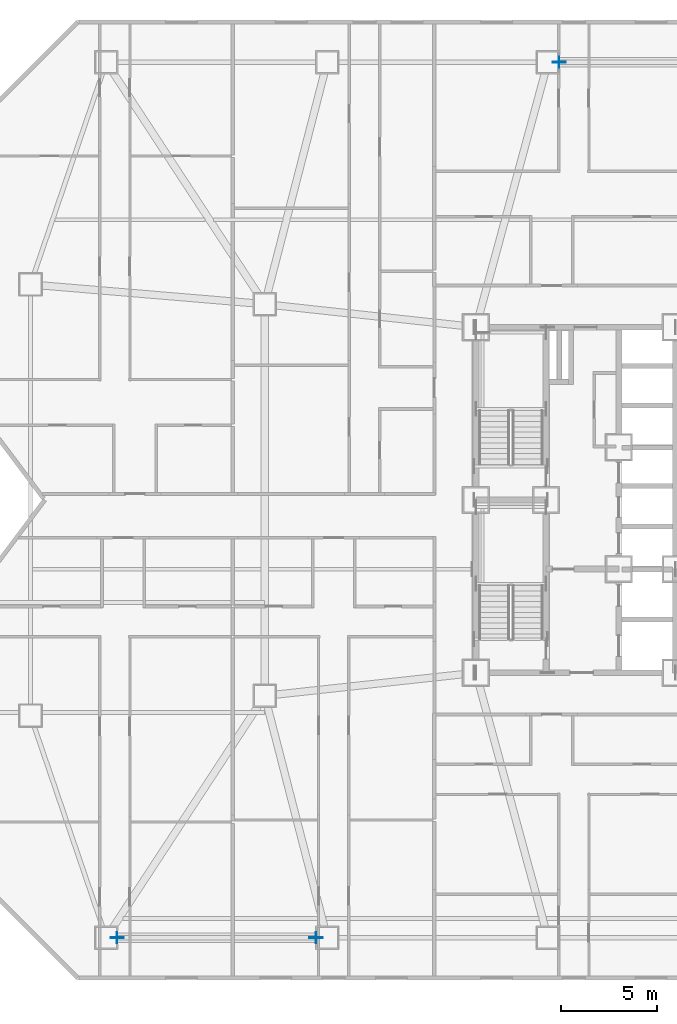
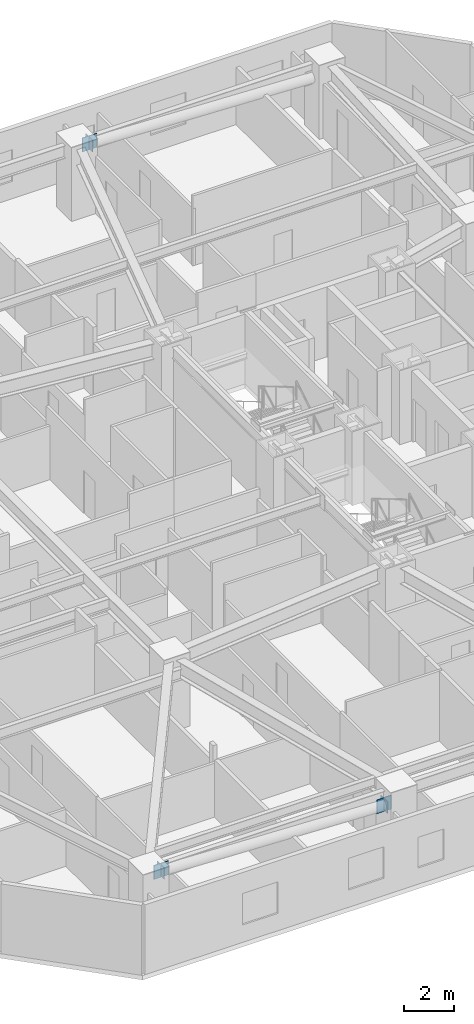
# One storey, part 5 of 14: 6 plates.
"""IFC4 building model written with IfcOpenShell, lengths in metres."""

import ifcopenshell
import ifcopenshell.guid

model = None  # the IFC model being written
_history = None  # IfcOwnerHistory: only IFC2X3 demands one
_inside = {}  # id of a spatial element -> (the spatial element, [elements in it])
_under = {}  # id of a project, library or spatial element -> (it, [spatial elements below it])
_declared = {}  # id of a project -> (the project, [libraries it declares])
_typed = {}  # id of a type object -> (the type object, [elements of that type])
_made_of = {}  # id of a material, layer set ... -> (it, [elements and type objects made of it])


def new_model(schema):
    """Start an empty IFC model of exactly this schema.

    Asked for "IFC4X3", IfcOpenShell would pick the latest addendum, in which some entities
    have other attributes; the version numbers below select the first issue.
    IFC2X3 requires an IfcOwnerHistory on every rooted entity: one is made here for all.
    """
    global model, _history
    if schema == "IFC4X3":
        model = ifcopenshell.file(schema_version=(4, 3, 0, 0))
    else:
        model = ifcopenshell.file(schema=schema)
    _inside.clear()
    _under.clear()
    _declared.clear()
    _typed.clear()
    _made_of.clear()
    _history = None
    if model.schema == "IFC2X3":
        org = make("IfcOrganization", Name="unknown")
        user = make(
            "IfcPersonAndOrganization",
            ThePerson=make("IfcPerson", FamilyName="unknown"),
            TheOrganization=org,
        )
        app = make(
            "IfcApplication",
            ApplicationDeveloper=org,
            Version="unknown",
            ApplicationFullName="unknown",
            ApplicationIdentifier="unknown",
        )
        _history = make(
            "IfcOwnerHistory",
            OwningUser=user,
            OwningApplication=app,
            ChangeAction="ADDED",
            CreationDate=0,
        )
    return model


def make(cls, **values):
    """One entity of the class cls with the attributes given. An attribute that is None is left unset."""
    return model.create_entity(
        cls, **{name: value for name, value in values.items() if value is not None}
    )


def rooted(cls, **values):
    """An entity with a GlobalId (a new one), such as an element, a storey or a relation."""
    return make(cls, GlobalId=ifcopenshell.guid.new(), OwnerHistory=_history, **values)


def si_unit(unit_type, name, prefix=None):
    """IfcSIUnit, for example si_unit("LENGTHUNIT", "METRE", prefix="MILLI")."""
    return make("IfcSIUnit", UnitType=unit_type, Prefix=prefix, Name=name)


def assignment(units):
    """IfcUnitAssignment: the units of a project."""
    return None if units is None else make("IfcUnitAssignment", Units=units)


def point(xyz):
    """IfcCartesianPoint."""
    return None if xyz is None else make("IfcCartesianPoint", Coordinates=xyz)


def direction(xyz):
    """IfcDirection."""
    return None if xyz is None else make("IfcDirection", DirectionRatios=xyz)


def frame(location, z_axis=None, x_axis=None):
    """IfcAxis2Placement3D, a coordinate frame: its origin and axes. An axis left out is left unset."""
    return make(
        "IfcAxis2Placement3D",
        Location=point(location),
        Axis=direction(z_axis),
        RefDirection=direction(x_axis),
    )


def frame_2d(location, x_axis=None):
    """IfcAxis2Placement2D, a coordinate frame in the plane: its origin and x axis."""
    return make(
        "IfcAxis2Placement2D", Location=point(location), RefDirection=direction(x_axis)
    )


def origin():
    """The frame at (0, 0, 0) with its axes left unset."""
    return frame((0.0, 0.0, 0.0))


def origin_2d():
    """The frame at (0, 0) in the plane with its x axis left unset."""
    return frame_2d((0.0, 0.0))


def place(relative_to, where):
    """IfcLocalPlacement: puts the frame where relative to a parent placement (None: the world)."""
    return make(
        "IfcLocalPlacement", PlacementRelTo=relative_to, RelativePlacement=where
    )


def context(
    kind, dimensions, precision=None, world=None, true_north=None, identifier=None
):
    """IfcGeometricRepresentationContext, for example the 3D "Model" context."""
    return make(
        "IfcGeometricRepresentationContext",
        ContextIdentifier=identifier,
        ContextType=kind,
        CoordinateSpaceDimension=dimensions,
        Precision=precision,
        WorldCoordinateSystem=world,
        TrueNorth=true_north,
    )


def subcontext(parent, identifier, kind, view, scale=None):
    """IfcGeometricRepresentationSubContext, for example "Body" below "Model"."""
    return make(
        "IfcGeometricRepresentationSubContext",
        ContextIdentifier=identifier,
        ContextType=kind,
        ParentContext=parent,
        TargetScale=scale,
        TargetView=view,
    )


def project(units=None, contexts=None):
    """IfcProject with its units and contexts."""
    return rooted(
        "IfcProject",
        Name="project",
        RepresentationContexts=contexts,
        UnitsInContext=assignment(units),
    )


def spatial(cls, under=None, at=None, **own):
    """A site, building, storey or space (cls), placed at a placement, below another one or the project."""
    s = rooted(cls, ObjectPlacement=at, **own)
    if under is not None:
        _under.setdefault(under.id(), (under, []))[1].append(s)
    return s


def profile(cls, at=None, kind="AREA", **sizes):
    """A parametric profile (cls). Its sizes go by their IFC names, for example OverallWidth=200.0."""
    return make(cls, ProfileType=kind, Position=at, **sizes)


def rectangle(**sizes):
    """IfcRectangleProfileDef."""
    return profile("IfcRectangleProfileDef", **sizes)


def extrude(swept, where, along, depth):
    """IfcExtrudedAreaSolid: the profile swept, set in the frame where, extruded along a direction by depth."""
    return make(
        "IfcExtrudedAreaSolid",
        SweptArea=swept,
        Position=where,
        ExtrudedDirection=direction(along),
        Depth=depth,
    )


def shape(context_of_items, identifier, shape_type, items):
    """IfcShapeRepresentation: the items that make up one representation, for example the "Body"."""
    return make(
        "IfcShapeRepresentation",
        ContextOfItems=context_of_items,
        RepresentationIdentifier=identifier,
        RepresentationType=shape_type,
        Items=items,
    )


def material(Name=None, Category=None):
    """IfcMaterial."""
    return make("IfcMaterial", Name=Name, Category=Category)


def layer(
    of_material, thickness, ventilated=None, Name=None, Category=None, Priority=None
):
    """IfcMaterialLayer: one layer of a wall or slab, of a material (None: an air gap)."""
    return make(
        "IfcMaterialLayer",
        Material=of_material,
        LayerThickness=thickness,
        IsVentilated=ventilated,
        Name=Name,
        Category=Category,
        Priority=Priority,
    )


def layer_set(layers, Name=None):
    """IfcMaterialLayerSet."""
    return make("IfcMaterialLayerSet", MaterialLayers=layers, LayerSetName=Name)


def made_of(thing, what):
    """Note that an element or type object is made of a material, layer set ...; save() writes the relation."""
    if what is not None:
        _made_of.setdefault(what.id(), (what, []))[1].append(thing)
    return thing


def type_object(cls, material=None, **own):
    """A type object (cls), such as IfcWallType, which elements share."""
    return made_of(rooted(cls, **own), material)


def element(
    cls,
    number,
    at=None,
    inside=None,
    cuts=None,
    type_object=None,
    material=None,
    context=None,
    identifier="Body",
    shape_type=None,
    held_by="IfcProductDefinitionShape",
    body=None,
    shapes=None,
    **own,
):
    """One element of the class cls, such as IfcWall. Its Tag is "e" and its number.

    at: its placement. inside: the storey or other place that contains it. cuts: it is an
    opening in that element (IfcRelVoidsElement). A single representation is given by context,
    identifier, shape_type and body (its items); several are given by shapes. held_by: the class
    of the entity that holds the representations. save() writes the other relations.
    """
    e = rooted(cls, Tag="e%d" % number, ObjectPlacement=at, **own)
    if body is not None:
        shapes = [shape(context, identifier, shape_type, body)]
    if shapes is not None:
        e.Representation = make(held_by, Representations=shapes)
    if inside is not None:
        _inside.setdefault(inside.id(), (inside, []))[1].append(e)
    if cuts is not None:
        rooted(
            "IfcRelVoidsElement", RelatingBuildingElement=cuts, RelatedOpeningElement=e
        )
    if type_object is not None:
        _typed.setdefault(type_object.id(), (type_object, []))[1].append(e)
    return made_of(e, material)


def aggregate(whole, parts):
    """IfcRelAggregates: a whole, such as a stair, and the parts it consists of."""
    return rooted("IfcRelAggregates", RelatingObject=whole, RelatedObjects=parts)


def save(model, path):
    """Write the relations noted so far, then the file.

    IfcRelAggregates (storeys below a building ...), IfcRelContainedInSpatialStructure (elements
    in a storey), IfcRelDefinesByType, IfcRelAssociatesMaterial and IfcRelDeclares: one each for
    every whole, place, type object, material and project.
    """
    for whole, parts in _under.values():
        aggregate(whole, parts)
    for where, things in _inside.values():
        rooted(
            "IfcRelContainedInSpatialStructure",
            RelatedElements=things,
            RelatingStructure=where,
        )
    for kind, things in _typed.values():
        rooted("IfcRelDefinesByType", RelatedObjects=things, RelatingType=kind)
    for what, things in _made_of.values():
        rooted("IfcRelAssociatesMaterial", RelatedObjects=things, RelatingMaterial=what)
    for by, libraries in _declared.values():
        rooted("IfcRelDeclares", RelatingContext=by, RelatedDefinitions=libraries)
    model.write(path)


model = new_model("IFC4")

# Units and contexts
model_context = context("Model", 3, precision=1e-05, world=origin(), true_north=direction((0.0, 1.0)))
body_context = subcontext(model_context, "Body", "Model", "MODEL_VIEW")
ifc_project = project(units=[si_unit("LENGTHUNIT", "METRE"), si_unit("AREAUNIT", "SQUARE_METRE"), si_unit("VOLUMEUNIT", "CUBIC_METRE"), si_unit("PLANEANGLEUNIT", "RADIAN"), si_unit("MASSUNIT", "GRAM", prefix="KILO")], contexts=[model_context])

# Site, building, storey
site_placement = place(None, origin())
site = spatial("IfcSite", under=ifc_project, at=site_placement, CompositionType="ELEMENT")
building_placement = place(site_placement, origin())
building = spatial("IfcBuilding", under=site, at=building_placement, Name="Khamvora Tower", CompositionType="ELEMENT")
storey_placement = place(building_placement, frame((0.0, 0.0, 40.60009765625)))
storey = spatial("IfcBuildingStorey", under=building, at=storey_placement, Name="L09", CompositionType="ELEMENT", Elevation=40.60009765625)

# Plates
ifc_material_1 = material(Name="Steel S355", Category="steel")
ifc_layer_1 = layer(ifc_material_1, 0.02490234375)
ifc_layer_set_1 = layer_set([ifc_layer_1], Name="Steel S355")
plate_type_1 = type_object("IfcPlateType", Name="PL-CAP-25", PredefinedType="SHEET", material=ifc_layer_set_1)
for number, where, z_axis, x_axis, name in (
    (1, (20.681884765625, 5.199951171875, 2.41796875), (0.0, 0.0, 1.0), (-1.0, 0.0, 0.0), "L09 hollow section steel end cap plate 0564"),
    (2, (10.318115234375, 5.199951171875, 2.81494140625), (0.0, 0.0, 1.0), (-1.0, 0.0, 0.0), "L09 hollow section steel end cap plate 0565"),
    (3, (33.318115234375, 50.800048828125, 2.81494140625), (0.0, 0.0, 1.0), (-1.0, 0.0, 0.0), "L09 hollow section steel end cap plate 0567"),
):
    element("IfcPlate", number, at=place(storey_placement, frame(where, z_axis=z_axis, x_axis=x_axis)), inside=storey, type_object=plate_type_1, Name=name, PredefinedType="SHEET", context=body_context, shape_type="SweptSolid", body=[
        extrude(rectangle(XDim=0.02490234375, YDim=0.568115234375, at=origin_2d()), origin(), (0.0, 0.0, 1.0), 0.568115234375),
    ])
ifc_material_2 = material(Name="Steel S460", Category="steel")
ifc_layer_2 = layer(ifc_material_2, 0.0400390625)
ifc_layer_set_2 = layer_set([ifc_layer_2], Name="Steel S460")
plate_type_2 = type_object("IfcPlateType", Name="PLT-GUS-40", PredefinedType="SHEET", material=ifc_layer_set_2)
for number, where, z_axis, x_axis, name in (
    (4, (20.669921875, 5.199951171875, 2.36181640625), (0.0, 0.0, 1.0), (1.0, 0.0, 0.0), "L09 brace connection node gusset plate 0081"),
    (5, (10.330078125, 5.199951171875, 2.7587890625), (0.0, 0.0, 1.0), (1.0, 0.0, 0.0), "L09 brace connection node gusset plate 0082"),
    (6, (33.330078125, 50.800048828125, 2.7587890625), (0.0, 0.0, 1.0), (1.0, 0.0, 0.0), "L09 brace connection node gusset plate 0084"),
):
    element("IfcPlate", number, at=place(storey_placement, frame(where, z_axis=z_axis, x_axis=x_axis)), inside=storey, type_object=plate_type_2, Name=name, PredefinedType="SHEET", context=body_context, shape_type="SweptSolid", body=[
        extrude(rectangle(XDim=0.679931640625, YDim=0.0400390625, at=origin_2d()), origin(), (0.0, 0.0, 1.0), 0.679931640625),
    ])

save(model, "model.ifc")
